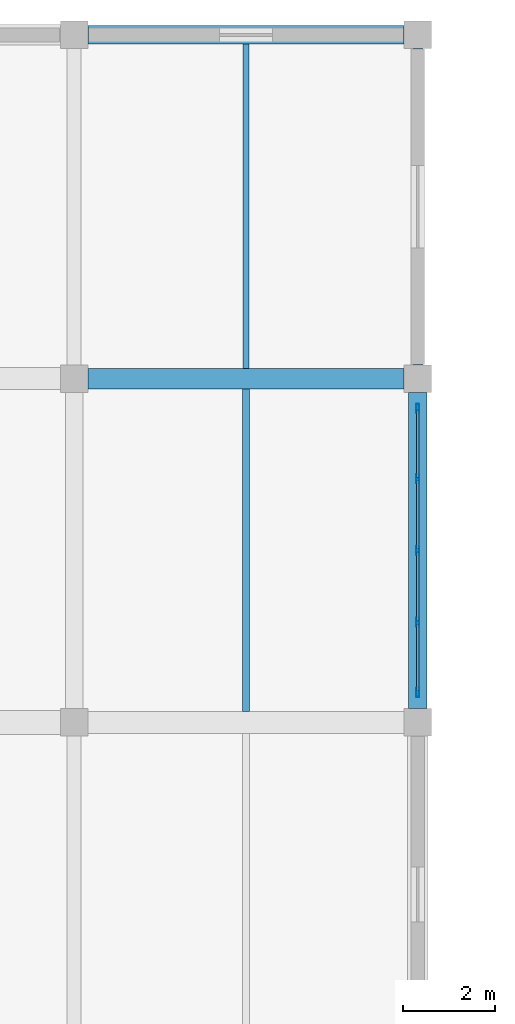
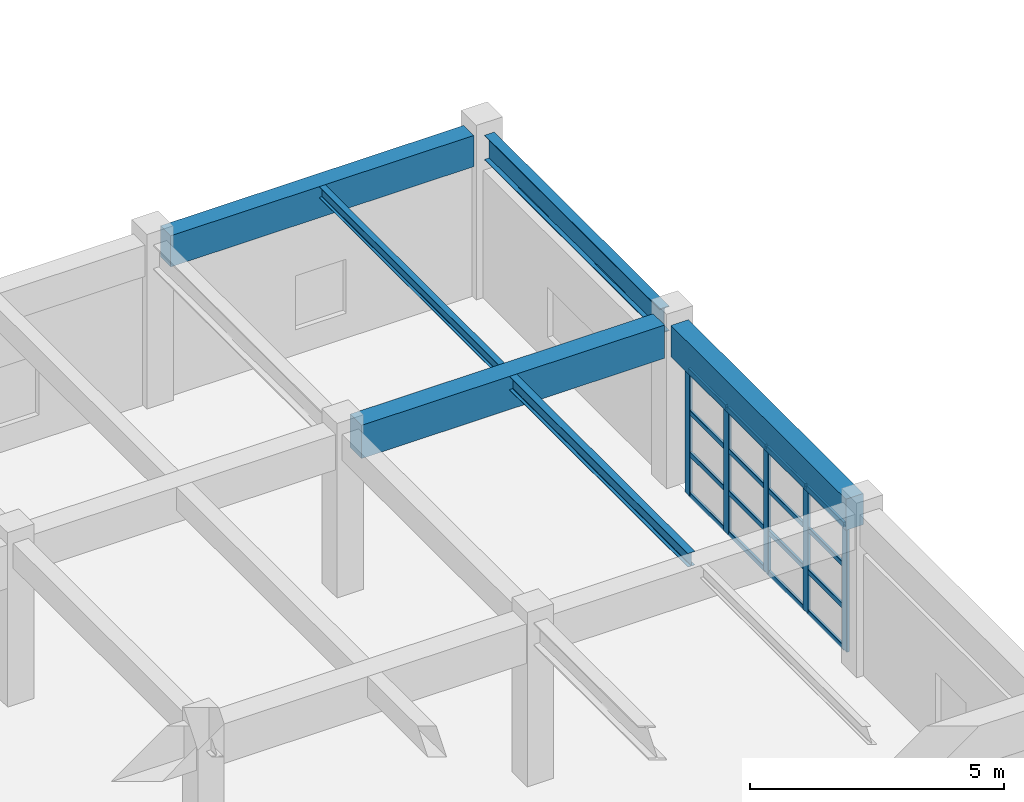
# One storey, part 51 of 124: 21 members, 6 beams, 1 element without a shape of its own.
"""IFC4 building model written with IfcOpenShell, lengths in metres."""

from ifc_helpers import new_model, si_unit, direction, frame, origin, origin_2d, place, context, subcontext, project, spatial, rectangle, hollow_rectangle, i_section, extrude, material, material_profile, profile_set, type_object, element, aggregate, save


model = new_model("IFC4")

# Units and contexts
model_context = context("Model", 3, precision=1e-05, world=origin(), true_north=direction((0.0, 1.0)))
body_context = subcontext(model_context, "Body", "Model", "MODEL_VIEW")
ifc_project = project(units=[si_unit("LENGTHUNIT", "METRE"), si_unit("AREAUNIT", "SQUARE_METRE"), si_unit("VOLUMEUNIT", "CUBIC_METRE"), si_unit("PLANEANGLEUNIT", "RADIAN"), si_unit("MASSUNIT", "GRAM", prefix="KILO")], contexts=[model_context])

# Site, building, storey
site_placement = place(None, origin())
site = spatial("IfcSite", under=ifc_project, at=site_placement, CompositionType="ELEMENT")
building_placement = place(site_placement, origin())
building = spatial("IfcBuilding", under=site, at=building_placement, Name="Qasida Concert Hall", CompositionType="ELEMENT")
storey_placement = place(building_placement, frame((0.0, 0.0, 9.0)))
storey = spatial("IfcBuildingStorey", under=building, at=storey_placement, Name="L02", CompositionType="ELEMENT", Elevation=9.0)

# Beams
ifc_material_1 = material(Name="Concrete C40/50", Category="concrete")
ifc_material_profile_1 = material_profile(ifc_material_1, rectangle(XDim=0.449951171875, YDim=0.800048828125, at=origin_2d()), Name="RC 450x800")
ifc_profile_set_1 = profile_set([ifc_material_profile_1], Name="Concrete C40/50")
beam_type_1 = type_object("IfcBeamType", Name="BM-G2", PredefinedType="USERDEFINED", material=ifc_profile_set_1)
beam_1_placement = place(storey_placement, frame((30.300048828125, 105.0, 3.5), z_axis=(1.0, 0.0, 0.0), x_axis=(0.0, 1.0, 0.0)))
element("IfcBeam", 1, at=beam_1_placement, inside=storey, type_object=beam_type_1, Name="Primary girder 1457", ObjectType="GIRDER", PredefinedType="USERDEFINED", context=body_context, shape_type="SweptSolid", body=[
    extrude(rectangle(XDim=0.449951171875, YDim=0.800048828125, at=origin_2d()), origin(), (0.0, 0.0, 1.0), 6.89990234375),
])
ifc_material_2 = material(Name="Steel S355J2", Category="steel")
ifc_material_profile_2 = material_profile(ifc_material_2, i_section(OverallWidth=0.159912109375, OverallDepth=0.330078125, WebThickness=0.007568359375, FlangeThickness=0.011474609375, FilletRadius=0.01806640625, at=origin_2d()), Name="IPE 330")
ifc_profile_set_2 = profile_set([ifc_material_profile_2], Name="Steel S355J2")
beam_type_2 = type_object("IfcBeamType", Name="BM-J5", PredefinedType="JOIST", material=ifc_profile_set_2)
beam_2_placement = place(storey_placement, frame((33.75, 97.739990234375, 3.735107421875), z_axis=(0.0, 1.0, 0.0), x_axis=(-1.0, 0.0, 0.0)))
element("IfcBeam", 2, at=beam_2_placement, inside=storey, type_object=beam_type_2, Name="L02 secondary joist 1508", PredefinedType="JOIST", context=body_context, shape_type="SweptSolid", body=[
    extrude(i_section(OverallWidth=0.159912109375, OverallDepth=0.330078125, WebThickness=0.007568359375, FlangeThickness=0.011474609375, FilletRadius=0.01806640625, at=origin_2d()), origin(), (0.0, 0.0, 1.0), 7.034912109375),
])
ifc_material_profile_3 = material_profile(ifc_material_2, i_section(OverallWidth=0.135009765625, OverallDepth=0.27001953125, WebThickness=0.006591796875, FlangeThickness=0.01025390625, FilletRadius=0.014892578125, at=origin_2d()), Name="IPE 270")
ifc_profile_set_3 = profile_set([ifc_material_profile_3], Name="Steel S355J2")
beam_type_3 = type_object("IfcBeamType", Name="BM-J6", PredefinedType="JOIST", material=ifc_profile_set_3)
beam_3_placement = place(storey_placement, frame((33.75, 105.22509765625, 3.764892578125), z_axis=(0.0, 1.0, 0.0), x_axis=(-1.0, 0.0, 0.0)))
element("IfcBeam", 3, at=beam_3_placement, inside=storey, type_object=beam_type_3, Name="L02 secondary joist 1509", PredefinedType="JOIST", context=body_context, shape_type="SweptSolid", body=[
    extrude(i_section(OverallWidth=0.135009765625, OverallDepth=0.27001953125, WebThickness=0.006591796875, FlangeThickness=0.01025390625, FilletRadius=0.014892578125, at=origin_2d()), origin(), (0.0, 0.0, 1.0), 7.074951171875),
])
ifc_material_profile_4 = material_profile(ifc_material_1, rectangle(XDim=0.39990234375, YDim=0.75, at=origin_2d()), Name="RC 400x750")
ifc_profile_set_4 = profile_set([ifc_material_profile_4], Name="Concrete C40/50")
beam_type_4 = type_object("IfcBeamType", Name="BM-SP1", PredefinedType="SPANDREL", material=ifc_profile_set_4)
for number, where, z_axis, x_axis, name in (
    (4, (30.300048828125, 112.5, 3.52490234375), (1.0, 0.0, 0.0), (0.0, 1.0, 0.0), "Primary girder 1461"),
    (5, (37.5, 97.800048828125, 3.52490234375), (0.0, 1.0, 0.0), (-1.0, 0.0, 0.0), "L02 girder 1485"),
):
    element("IfcBeam", number, at=place(storey_placement, frame(where, z_axis=z_axis, x_axis=x_axis)), inside=storey, type_object=beam_type_4, Name=name, PredefinedType="SPANDREL", context=body_context, shape_type="SweptSolid", body=[
        extrude(rectangle(XDim=0.39990234375, YDim=0.75, at=origin_2d()), origin(), (0.0, 0.0, 1.0), 6.89990234375),
    ])
ifc_material_profile_5 = material_profile(ifc_material_2, i_section(OverallWidth=0.219970703125, OverallDepth=0.60009765625, WebThickness=0.011962890625, FlangeThickness=0.01904296875, FilletRadius=0.02392578125, at=origin_2d()), Name="IPE 600")
ifc_profile_set_5 = profile_set([ifc_material_profile_5], Name="Steel S355J2")
beam_type_5 = type_object("IfcBeamType", Name="BM-SP3", PredefinedType="SPANDREL", material=ifc_profile_set_5)
beam_4_placement = place(storey_placement, frame((37.5, 105.300048828125, 3.60009765625), z_axis=(0.0, 1.0, 0.0), x_axis=(-1.0, 0.0, 0.0)))
element("IfcBeam", 6, at=beam_4_placement, inside=storey, type_object=beam_type_5, Name="L02 girder 1486", PredefinedType="SPANDREL", context=body_context, shape_type="SweptSolid", body=[
    extrude(i_section(OverallWidth=0.219970703125, OverallDepth=0.60009765625, WebThickness=0.011962890625, FlangeThickness=0.01904296875, FilletRadius=0.02392578125, at=origin_2d()), origin(), (0.0, 0.0, 1.0), 6.89990234375),
])

# Curtain wall, members
ifc_material_3 = material(Name="Architectural bronze-anodized aluminium and low-E glass", Category="aluminium")
curtain_wall_type = type_object("IfcCurtainWallType", Name="CW-08", PredefinedType="NOTDEFINED", material=ifc_material_3)
curtain_wall_placement = place(storey_placement, origin())
curtain_wall = element("IfcCurtainWall", 7, at=curtain_wall_placement, inside=storey, type_object=curtain_wall_type, Name="L02 curtain wall CW-08 0191", PredefinedType="NOTDEFINED")
ifc_material_4 = material(Name="Architectural bronze-anodized aluminium EN AW-6063", Category="aluminium")
ifc_material_profile_6 = material_profile(ifc_material_4, hollow_rectangle(XDim=0.06494140625, YDim=0.199951171875, WallThickness=0.0048828125, InnerFilletRadius=0.0048828125, OuterFilletRadius=0.010009765625, at=origin_2d()), Name="CWM 200x65x5")
ifc_profile_set_6 = profile_set([ifc_material_profile_6], Name="Architectural bronze-anodized aluminium EN AW-6063")
member_type_1 = type_object("IfcMemberType", Name="MB-CWM-2", PredefinedType="MULLION", material=ifc_profile_set_6)
member_1_placement = place(storey_placement, frame((37.5, 98.152587890625, 0.0), z_axis=(0.0, 0.0, 1.0), x_axis=(-1.0, 0.0, 0.0)))
member_1 = element("IfcMember", 8, at=member_1_placement, type_object=member_type_1, Name="CW-08 mullion 1", PredefinedType="MULLION", context=body_context, shape_type="SweptSolid", body=[
    extrude(hollow_rectangle(XDim=0.06494140625, YDim=0.199951171875, WallThickness=0.0048828125, InnerFilletRadius=0.0048828125, OuterFilletRadius=0.010009765625, at=origin_2d()), origin(), (0.0, 0.0, 1.0), 3.02001953125),
])
member_2_placement = place(storey_placement, frame((37.5, 99.68505859375, 0.0), z_axis=(0.0, 0.0, 1.0), x_axis=(-1.0, 0.0, 0.0)))
member_2 = element("IfcMember", 9, at=member_2_placement, type_object=member_type_1, Name="CW-08 mullion 2", PredefinedType="MULLION", context=body_context, shape_type="SweptSolid", body=[
    extrude(hollow_rectangle(XDim=0.06494140625, YDim=0.199951171875, WallThickness=0.0048828125, InnerFilletRadius=0.0048828125, OuterFilletRadius=0.010009765625, at=origin_2d()), origin(), (0.0, 0.0, 1.0), 3.02001953125),
])
member_3_placement = place(storey_placement, frame((37.5, 101.25, 0.0), z_axis=(0.0, 0.0, 1.0), x_axis=(-1.0, 0.0, 0.0)))
member_3 = element("IfcMember", 10, at=member_3_placement, type_object=member_type_1, Name="CW-08 mullion 3", PredefinedType="MULLION", context=body_context, shape_type="SweptSolid", body=[
    extrude(hollow_rectangle(XDim=0.06494140625, YDim=0.199951171875, WallThickness=0.0048828125, InnerFilletRadius=0.0048828125, OuterFilletRadius=0.010009765625, at=origin_2d()), origin(), (0.0, 0.0, 1.0), 3.02001953125),
])
member_4_placement = place(storey_placement, frame((37.5, 102.81494140625, 0.0), z_axis=(0.0, 0.0, 1.0), x_axis=(-1.0, 0.0, 0.0)))
member_4 = element("IfcMember", 11, at=member_4_placement, type_object=member_type_1, Name="CW-08 mullion 4", PredefinedType="MULLION", context=body_context, shape_type="SweptSolid", body=[
    extrude(hollow_rectangle(XDim=0.06494140625, YDim=0.199951171875, WallThickness=0.0048828125, InnerFilletRadius=0.0048828125, OuterFilletRadius=0.010009765625, at=origin_2d()), origin(), (0.0, 0.0, 1.0), 3.02001953125),
])
member_5_placement = place(storey_placement, frame((37.5, 104.347412109375, 0.0), z_axis=(0.0, 0.0, 1.0), x_axis=(-1.0, 0.0, 0.0)))
member_5 = element("IfcMember", 12, at=member_5_placement, type_object=member_type_1, Name="CW-08 mullion 5", PredefinedType="MULLION", context=body_context, shape_type="SweptSolid", body=[
    extrude(hollow_rectangle(XDim=0.06494140625, YDim=0.199951171875, WallThickness=0.0048828125, InnerFilletRadius=0.0048828125, OuterFilletRadius=0.010009765625, at=origin_2d()), origin(), (0.0, 0.0, 1.0), 3.02001953125),
])
ifc_material_profile_7 = material_profile(ifc_material_4, hollow_rectangle(XDim=0.06005859375, YDim=0.1201171875, WallThickness=0.00390625, InnerFilletRadius=0.00390625, OuterFilletRadius=0.008056640625, at=origin_2d()), Name="CWT 120x60x4")
ifc_profile_set_7 = profile_set([ifc_material_profile_7], Name="Architectural bronze-anodized aluminium EN AW-6063")
member_type_2 = type_object("IfcMemberType", Name="MB-CWT-2", PredefinedType="USERDEFINED", material=ifc_profile_set_7)
member_6_placement = place(storey_placement, frame((37.5, 98.18505859375, 0.030029296875), z_axis=(0.0, 1.0, 0.0), x_axis=(-1.0, 0.0, 0.0)))
member_6 = element("IfcMember", 13, at=member_6_placement, type_object=member_type_2, Name="CW-08 transom 1.1", ObjectType="TRANSOM", PredefinedType="USERDEFINED", context=body_context, shape_type="SweptSolid", body=[
    extrude(hollow_rectangle(XDim=0.06005859375, YDim=0.1201171875, WallThickness=0.00390625, InnerFilletRadius=0.00390625, OuterFilletRadius=0.008056640625, at=origin_2d()), origin(), (0.0, 0.0, 1.0), 1.467529296875),
])
member_7_placement = place(storey_placement, frame((37.5, 98.18505859375, 1.006591796875), z_axis=(0.0, 1.0, 0.0), x_axis=(-1.0, 0.0, 0.0)))
member_7 = element("IfcMember", 14, at=member_7_placement, type_object=member_type_2, Name="CW-08 transom 1.2", ObjectType="TRANSOM", PredefinedType="USERDEFINED", context=body_context, shape_type="SweptSolid", body=[
    extrude(hollow_rectangle(XDim=0.06005859375, YDim=0.1201171875, WallThickness=0.00390625, InnerFilletRadius=0.00390625, OuterFilletRadius=0.008056640625, at=origin_2d()), origin(), (0.0, 0.0, 1.0), 1.467529296875),
])
member_8_placement = place(storey_placement, frame((37.5, 98.18505859375, 2.01318359375), z_axis=(0.0, 1.0, 0.0), x_axis=(-1.0, 0.0, 0.0)))
member_8 = element("IfcMember", 15, at=member_8_placement, type_object=member_type_2, Name="CW-08 transom 1.3", ObjectType="TRANSOM", PredefinedType="USERDEFINED", context=body_context, shape_type="SweptSolid", body=[
    extrude(hollow_rectangle(XDim=0.06005859375, YDim=0.1201171875, WallThickness=0.00390625, InnerFilletRadius=0.00390625, OuterFilletRadius=0.008056640625, at=origin_2d()), origin(), (0.0, 0.0, 1.0), 1.467529296875),
])
member_9_placement = place(storey_placement, frame((37.5, 98.18505859375, 2.989990234375), z_axis=(0.0, 1.0, 0.0), x_axis=(-1.0, 0.0, 0.0)))
member_9 = element("IfcMember", 16, at=member_9_placement, type_object=member_type_2, Name="CW-08 transom 1.4", ObjectType="TRANSOM", PredefinedType="USERDEFINED", context=body_context, shape_type="SweptSolid", body=[
    extrude(hollow_rectangle(XDim=0.06005859375, YDim=0.1201171875, WallThickness=0.00390625, InnerFilletRadius=0.00390625, OuterFilletRadius=0.008056640625, at=origin_2d()), origin(), (0.0, 0.0, 1.0), 1.467529296875),
])
member_10_placement = place(storey_placement, frame((37.5, 99.717529296875, 0.030029296875), z_axis=(0.0, 1.0, 0.0), x_axis=(-1.0, 0.0, 0.0)))
member_10 = element("IfcMember", 17, at=member_10_placement, type_object=member_type_2, Name="CW-08 transom 2.1", ObjectType="TRANSOM", PredefinedType="USERDEFINED", context=body_context, shape_type="SweptSolid", body=[
    extrude(hollow_rectangle(XDim=0.06005859375, YDim=0.1201171875, WallThickness=0.00390625, InnerFilletRadius=0.00390625, OuterFilletRadius=0.008056640625, at=origin_2d()), origin(), (0.0, 0.0, 1.0), 1.5),
])
member_11_placement = place(storey_placement, frame((37.5, 99.717529296875, 1.006591796875), z_axis=(0.0, 1.0, 0.0), x_axis=(-1.0, 0.0, 0.0)))
member_11 = element("IfcMember", 18, at=member_11_placement, type_object=member_type_2, Name="CW-08 transom 2.2", ObjectType="TRANSOM", PredefinedType="USERDEFINED", context=body_context, shape_type="SweptSolid", body=[
    extrude(hollow_rectangle(XDim=0.06005859375, YDim=0.1201171875, WallThickness=0.00390625, InnerFilletRadius=0.00390625, OuterFilletRadius=0.008056640625, at=origin_2d()), origin(), (0.0, 0.0, 1.0), 1.5),
])
member_12_placement = place(storey_placement, frame((37.5, 99.717529296875, 2.01318359375), z_axis=(0.0, 1.0, 0.0), x_axis=(-1.0, 0.0, 0.0)))
member_12 = element("IfcMember", 19, at=member_12_placement, type_object=member_type_2, Name="CW-08 transom 2.3", ObjectType="TRANSOM", PredefinedType="USERDEFINED", context=body_context, shape_type="SweptSolid", body=[
    extrude(hollow_rectangle(XDim=0.06005859375, YDim=0.1201171875, WallThickness=0.00390625, InnerFilletRadius=0.00390625, OuterFilletRadius=0.008056640625, at=origin_2d()), origin(), (0.0, 0.0, 1.0), 1.5),
])
member_13_placement = place(storey_placement, frame((37.5, 99.717529296875, 2.989990234375), z_axis=(0.0, 1.0, 0.0), x_axis=(-1.0, 0.0, 0.0)))
member_13 = element("IfcMember", 20, at=member_13_placement, type_object=member_type_2, Name="CW-08 transom 2.4", ObjectType="TRANSOM", PredefinedType="USERDEFINED", context=body_context, shape_type="SweptSolid", body=[
    extrude(hollow_rectangle(XDim=0.06005859375, YDim=0.1201171875, WallThickness=0.00390625, InnerFilletRadius=0.00390625, OuterFilletRadius=0.008056640625, at=origin_2d()), origin(), (0.0, 0.0, 1.0), 1.5),
])
member_14_placement = place(storey_placement, frame((37.5, 101.282470703125, 0.030029296875), z_axis=(0.0, 1.0, 0.0), x_axis=(-1.0, 0.0, 0.0)))
member_14 = element("IfcMember", 21, at=member_14_placement, type_object=member_type_2, Name="CW-08 transom 3.1", ObjectType="TRANSOM", PredefinedType="USERDEFINED", context=body_context, shape_type="SweptSolid", body=[
    extrude(hollow_rectangle(XDim=0.06005859375, YDim=0.1201171875, WallThickness=0.00390625, InnerFilletRadius=0.00390625, OuterFilletRadius=0.008056640625, at=origin_2d()), origin(), (0.0, 0.0, 1.0), 1.5),
])
member_15_placement = place(storey_placement, frame((37.5, 101.282470703125, 1.006591796875), z_axis=(0.0, 1.0, 0.0), x_axis=(-1.0, 0.0, 0.0)))
member_15 = element("IfcMember", 22, at=member_15_placement, type_object=member_type_2, Name="CW-08 transom 3.2", ObjectType="TRANSOM", PredefinedType="USERDEFINED", context=body_context, shape_type="SweptSolid", body=[
    extrude(hollow_rectangle(XDim=0.06005859375, YDim=0.1201171875, WallThickness=0.00390625, InnerFilletRadius=0.00390625, OuterFilletRadius=0.008056640625, at=origin_2d()), origin(), (0.0, 0.0, 1.0), 1.5),
])
member_16_placement = place(storey_placement, frame((37.5, 101.282470703125, 2.01318359375), z_axis=(0.0, 1.0, 0.0), x_axis=(-1.0, 0.0, 0.0)))
member_16 = element("IfcMember", 23, at=member_16_placement, type_object=member_type_2, Name="CW-08 transom 3.3", ObjectType="TRANSOM", PredefinedType="USERDEFINED", context=body_context, shape_type="SweptSolid", body=[
    extrude(hollow_rectangle(XDim=0.06005859375, YDim=0.1201171875, WallThickness=0.00390625, InnerFilletRadius=0.00390625, OuterFilletRadius=0.008056640625, at=origin_2d()), origin(), (0.0, 0.0, 1.0), 1.5),
])
member_17_placement = place(storey_placement, frame((37.5, 101.282470703125, 2.989990234375), z_axis=(0.0, 1.0, 0.0), x_axis=(-1.0, 0.0, 0.0)))
member_17 = element("IfcMember", 24, at=member_17_placement, type_object=member_type_2, Name="CW-08 transom 3.4", ObjectType="TRANSOM", PredefinedType="USERDEFINED", context=body_context, shape_type="SweptSolid", body=[
    extrude(hollow_rectangle(XDim=0.06005859375, YDim=0.1201171875, WallThickness=0.00390625, InnerFilletRadius=0.00390625, OuterFilletRadius=0.008056640625, at=origin_2d()), origin(), (0.0, 0.0, 1.0), 1.5),
])
member_18_placement = place(storey_placement, frame((37.5, 102.847412109375, 0.030029296875), z_axis=(0.0, 1.0, 0.0), x_axis=(-1.0, 0.0, 0.0)))
member_18 = element("IfcMember", 25, at=member_18_placement, type_object=member_type_2, Name="CW-08 transom 4.1", ObjectType="TRANSOM", PredefinedType="USERDEFINED", context=body_context, shape_type="SweptSolid", body=[
    extrude(hollow_rectangle(XDim=0.06005859375, YDim=0.1201171875, WallThickness=0.00390625, InnerFilletRadius=0.00390625, OuterFilletRadius=0.008056640625, at=origin_2d()), origin(), (0.0, 0.0, 1.0), 1.467529296875),
])
member_19_placement = place(storey_placement, frame((37.5, 102.847412109375, 1.006591796875), z_axis=(0.0, 1.0, 0.0), x_axis=(-1.0, 0.0, 0.0)))
member_19 = element("IfcMember", 26, at=member_19_placement, type_object=member_type_2, Name="CW-08 transom 4.2", ObjectType="TRANSOM", PredefinedType="USERDEFINED", context=body_context, shape_type="SweptSolid", body=[
    extrude(hollow_rectangle(XDim=0.06005859375, YDim=0.1201171875, WallThickness=0.00390625, InnerFilletRadius=0.00390625, OuterFilletRadius=0.008056640625, at=origin_2d()), origin(), (0.0, 0.0, 1.0), 1.467529296875),
])
member_20_placement = place(storey_placement, frame((37.5, 102.847412109375, 2.01318359375), z_axis=(0.0, 1.0, 0.0), x_axis=(-1.0, 0.0, 0.0)))
member_20 = element("IfcMember", 27, at=member_20_placement, type_object=member_type_2, Name="CW-08 transom 4.3", ObjectType="TRANSOM", PredefinedType="USERDEFINED", context=body_context, shape_type="SweptSolid", body=[
    extrude(hollow_rectangle(XDim=0.06005859375, YDim=0.1201171875, WallThickness=0.00390625, InnerFilletRadius=0.00390625, OuterFilletRadius=0.008056640625, at=origin_2d()), origin(), (0.0, 0.0, 1.0), 1.467529296875),
])
member_21_placement = place(storey_placement, frame((37.5, 102.847412109375, 2.989990234375), z_axis=(0.0, 1.0, 0.0), x_axis=(-1.0, 0.0, 0.0)))
member_21 = element("IfcMember", 28, at=member_21_placement, type_object=member_type_2, Name="CW-08 transom 4.4", ObjectType="TRANSOM", PredefinedType="USERDEFINED", context=body_context, shape_type="SweptSolid", body=[
    extrude(hollow_rectangle(XDim=0.06005859375, YDim=0.1201171875, WallThickness=0.00390625, InnerFilletRadius=0.00390625, OuterFilletRadius=0.008056640625, at=origin_2d()), origin(), (0.0, 0.0, 1.0), 1.467529296875),
])
aggregate(curtain_wall, [member_1, member_2, member_3, member_4, member_5, member_6, member_7, member_8, member_9, member_10, member_11, member_12, member_13, member_14, member_15, member_16, member_17, member_18, member_19, member_20, member_21])

save(model, "model.ifc")
